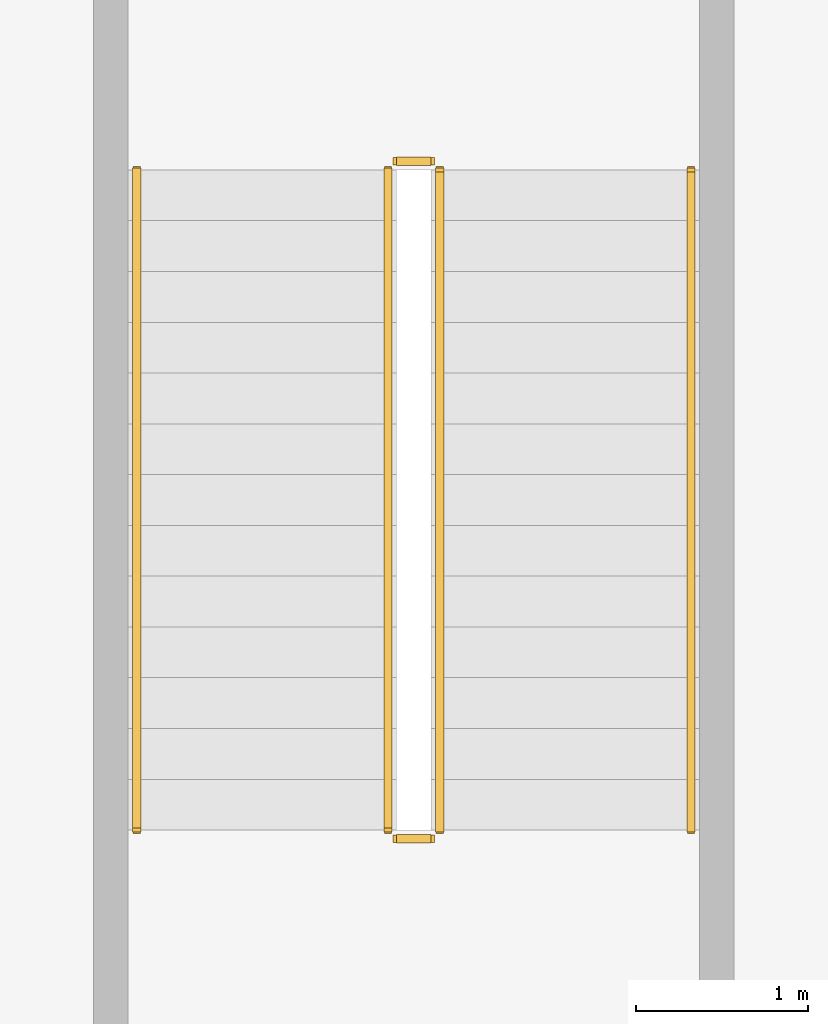
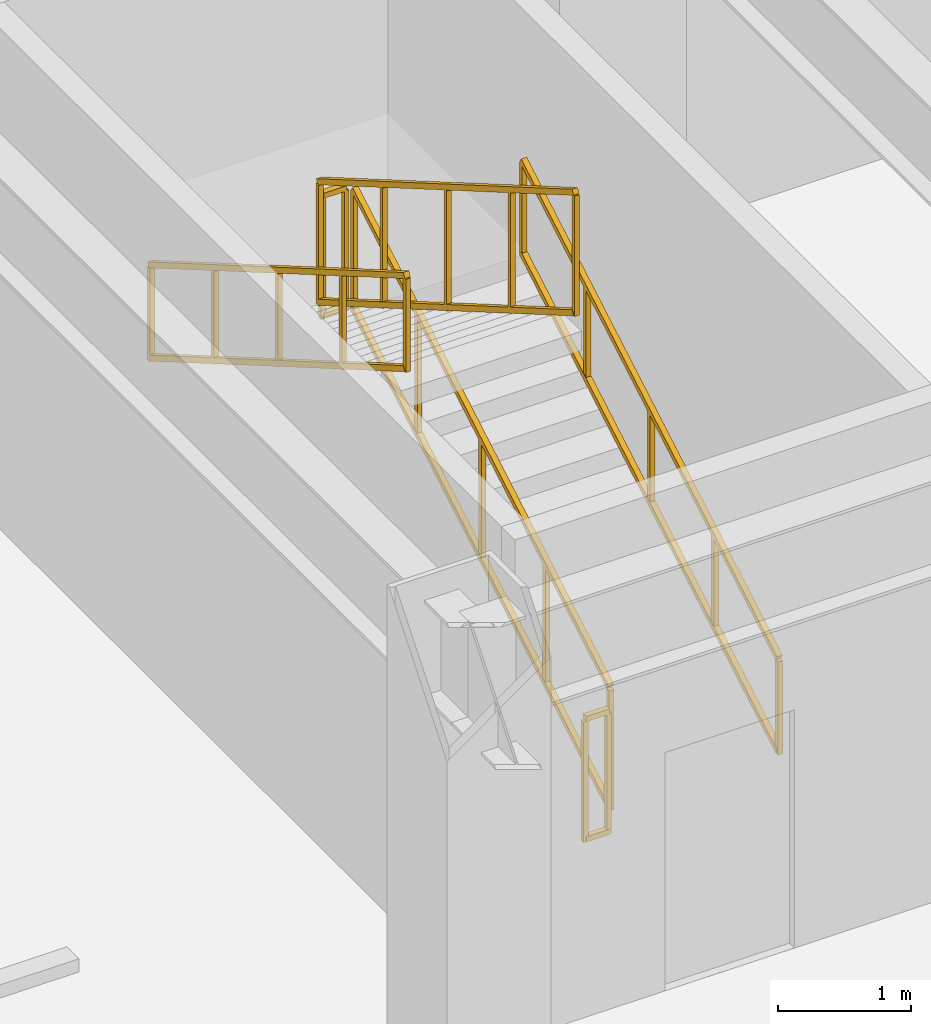
# One storey, part 10 of 10: 6 railings.
"""IFC4 building model written with IfcOpenShell, lengths in metres."""

from ifc_helpers import new_model, si_unit, direction, frame, origin, origin_2d, place, context, subcontext, project, spatial, rectangle, extrude, material, type_object, element, save


model = new_model("IFC4")

# Units and contexts
model_context = context("Model", 3, precision=1e-05, world=origin(), true_north=direction((0.0, 1.0)))
body_context = subcontext(model_context, "Body", "Model", "MODEL_VIEW")
ifc_project = project(units=[si_unit("LENGTHUNIT", "METRE"), si_unit("AREAUNIT", "SQUARE_METRE"), si_unit("VOLUMEUNIT", "CUBIC_METRE"), si_unit("PLANEANGLEUNIT", "RADIAN"), si_unit("MASSUNIT", "GRAM", prefix="KILO")], contexts=[model_context])

# Site, building, storey
site_placement = place(None, origin())
site = spatial("IfcSite", under=ifc_project, at=site_placement, CompositionType="ELEMENT")
building_placement = place(site_placement, origin())
building = spatial("IfcBuilding", under=site, at=building_placement, Name="Brelmoor Portico Tower", CompositionType="ELEMENT")
storey_placement = place(building_placement, frame((0.0, 0.0, -4.800048828125)))
storey = spatial("IfcBuildingStorey", under=building, at=storey_placement, Name="B1", CompositionType="ELEMENT", Elevation=-4.800048828125)

# Railings
ifc_material_1 = material(Name="Painted Tubular Steel Q235B", Category="steel")
railing_type_1 = type_object("IfcRailingType", Name="RL-STAIR-GUARD", PredefinedType="GUARDRAIL", material=ifc_material_1)
railing_1_placement = place(storey_placement, frame((17.389892578125, 20.85009765625, 0.17138671875)))
element("IfcRailing", 1, at=railing_1_placement, inside=storey, type_object=railing_type_1, Name="B1 ST-P2 stair guard 1", PredefinedType="GUARDRAIL", context=body_context, shape_type="SweptSolid", body=[
    extrude(rectangle(XDim=0.048095703125, YDim=0.048095703125, at=origin_2d()), frame((0.0, 0.0, 1.1259765625), z_axis=(0.0, 0.864592272851, 0.502474080651), x_axis=(-1.0, 0.0, 0.0)), (0.0, 0.0, 1.0), 4.435546875),
    extrude(rectangle(XDim=0.048095703125, YDim=0.048095703125, at=origin_2d()), frame((0.0, 0.0, 0.02392578125), z_axis=(0.0, 0.864592272851, 0.502474080651), x_axis=(-1.0, 0.0, 0.0)), (0.0, 0.0, 1.0), 4.435546875),
    extrude(rectangle(XDim=0.0419921875, YDim=0.0419921875, at=origin_2d()), origin(), (0.0, 0.0, 1.0), 1.101806640625),
    extrude(rectangle(XDim=0.0419921875, YDim=0.0419921875, at=origin_2d()), frame((0.0, 0.958740234375, 0.55712890625)), (0.0, 0.0, 1.0), 1.101806640625),
    extrude(rectangle(XDim=0.0419921875, YDim=0.0419921875, at=origin_2d()), frame((0.0, 1.91748046875, 1.1142578125)), (0.0, 0.0, 1.0), 1.101806640625),
    extrude(rectangle(XDim=0.0419921875, YDim=0.0419921875, at=origin_2d()), frame((0.0, 2.876220703125, 1.671630859375)), (0.0, 0.0, 1.0), 1.101806640625),
    extrude(rectangle(XDim=0.0419921875, YDim=0.0419921875, at=origin_2d()), frame((0.0, 3.8349609375, 2.228759765625)), (0.0, 0.0, 1.0), 1.101806640625),
])
railing_2_placement = place(storey_placement, frame((17.340087890625, 24.735107421875, 2.400146484375)))
element("IfcRailing", 2, at=railing_2_placement, inside=storey, type_object=railing_type_1, Name="B1 ST-P2 stair guard 2", PredefinedType="GUARDRAIL", context=body_context, shape_type="SweptSolid", body=[
    extrude(rectangle(XDim=0.048095703125, YDim=0.048095703125, at=origin_2d()), frame((0.0, 0.0, 1.1259765625), z_axis=(-1.0, 0.0, 0.0), x_axis=(0.0, -1.0, 0.0)), (0.0, 0.0, 1.0), 0.2001953125),
    extrude(rectangle(XDim=0.048095703125, YDim=0.048095703125, at=origin_2d()), frame((0.0, 0.0, 0.02392578125), z_axis=(-1.0, 0.0, 0.0), x_axis=(0.0, -1.0, 0.0)), (0.0, 0.0, 1.0), 0.2001953125),
    extrude(rectangle(XDim=0.0419921875, YDim=0.0419921875, at=origin_2d()), origin(), (0.0, 0.0, 1.0), 1.101806640625),
    extrude(rectangle(XDim=0.0419921875, YDim=0.0419921875, at=origin_2d()), frame((-0.2001953125, 0.0, 0.0)), (0.0, 0.0, 1.0), 1.101806640625),
])
railing_3_placement = place(storey_placement, frame((17.090087890625, 24.68505859375, 2.571533203125)))
element("IfcRailing", 3, at=railing_3_placement, inside=storey, type_object=railing_type_1, Name="B1 ST-P2 stair guard 3", PredefinedType="GUARDRAIL", context=body_context, shape_type="SweptSolid", body=[
    extrude(rectangle(XDim=0.048095703125, YDim=0.048095703125, at=origin_2d()), frame((0.0, 0.0, 1.1259765625), z_axis=(0.0, -0.86461618451, 0.502432934314), x_axis=(1.0, 0.0, 0.0)), (0.0, 0.0, 1.0), 4.435546875),
    extrude(rectangle(XDim=0.048095703125, YDim=0.048095703125, at=origin_2d()), frame((0.0, 0.0, 0.02392578125), z_axis=(0.0, -0.86461618451, 0.502432934314), x_axis=(1.0, 0.0, 0.0)), (0.0, 0.0, 1.0), 4.435546875),
    extrude(rectangle(XDim=0.0419921875, YDim=0.0419921875, at=origin_2d()), origin(), (0.0, 0.0, 1.0), 1.101806640625),
    extrude(rectangle(XDim=0.0419921875, YDim=0.0419921875, at=origin_2d()), frame((0.0, -0.958740234375, 0.55712890625)), (0.0, 0.0, 1.0), 1.101806640625),
    extrude(rectangle(XDim=0.0419921875, YDim=0.0419921875, at=origin_2d()), frame((0.0, -1.91748046875, 1.1142578125)), (0.0, 0.0, 1.0), 1.101806640625),
    extrude(rectangle(XDim=0.0419921875, YDim=0.0419921875, at=origin_2d()), frame((0.0, -2.876220703125, 1.67138671875)), (0.0, 0.0, 1.0), 1.101806640625),
    extrude(rectangle(XDim=0.0419921875, YDim=0.0419921875, at=origin_2d()), frame((0.0, -3.8349609375, 2.228515625)), (0.0, 0.0, 1.0), 1.101806640625),
])
railing_4_placement = place(storey_placement, frame((17.340087890625, 20.800048828125, 0.0)))
element("IfcRailing", 4, at=railing_4_placement, inside=storey, type_object=railing_type_1, Name="B1 ST-P2 stair guard 4", PredefinedType="GUARDRAIL", context=body_context, shape_type="SweptSolid", body=[
    extrude(rectangle(XDim=0.048095703125, YDim=0.048095703125, at=origin_2d()), frame((0.0, 0.0, 1.1259765625), z_axis=(-1.0, 0.0, 0.0), x_axis=(0.0, -1.0, 0.0)), (0.0, 0.0, 1.0), 0.2001953125),
    extrude(rectangle(XDim=0.048095703125, YDim=0.048095703125, at=origin_2d()), frame((0.0, 0.0, 0.02392578125), z_axis=(-1.0, 0.0, 0.0), x_axis=(0.0, -1.0, 0.0)), (0.0, 0.0, 1.0), 0.2001953125),
    extrude(rectangle(XDim=0.0419921875, YDim=0.0419921875, at=origin_2d()), origin(), (0.0, 0.0, 1.0), 1.101806640625),
    extrude(rectangle(XDim=0.0419921875, YDim=0.0419921875, at=origin_2d()), frame((-0.2001953125, 0.0, 0.0)), (0.0, 0.0, 1.0), 1.101806640625),
])
ifc_material_2 = material(Name="Brushed Stainless Steel 304", Category="steel")
railing_type_2 = type_object("IfcRailingType", Name="RL-STAIR-HANDRAIL", PredefinedType="HANDRAIL", material=ifc_material_2)
railing_5_placement = place(storey_placement, frame((18.85009765625, 20.85009765625, 0.17138671875)))
element("IfcRailing", 5, at=railing_5_placement, inside=storey, type_object=railing_type_2, Name="B1 ST-P2 stair handrail 1", PredefinedType="HANDRAIL", context=body_context, shape_type="SweptSolid", body=[
    extrude(rectangle(XDim=0.048095703125, YDim=0.048095703125, at=origin_2d()), frame((0.0, 0.0, 0.8759765625), z_axis=(0.0, 0.864592272851, 0.502474080651), x_axis=(-1.0, 0.0, 0.0)), (0.0, 0.0, 1.0), 4.435546875),
    extrude(rectangle(XDim=0.048095703125, YDim=0.048095703125, at=origin_2d()), frame((0.0, 0.0, 0.02392578125), z_axis=(0.0, 0.864592272851, 0.502474080651), x_axis=(-1.0, 0.0, 0.0)), (0.0, 0.0, 1.0), 4.435546875),
    extrude(rectangle(XDim=0.0419921875, YDim=0.0419921875, at=origin_2d()), origin(), (0.0, 0.0, 1.0), 0.851806640625),
    extrude(rectangle(XDim=0.0419921875, YDim=0.0419921875, at=origin_2d()), frame((0.0, 0.958740234375, 0.55712890625)), (0.0, 0.0, 1.0), 0.851806640625),
    extrude(rectangle(XDim=0.0419921875, YDim=0.0419921875, at=origin_2d()), frame((0.0, 1.91748046875, 1.1142578125)), (0.0, 0.0, 1.0), 0.851806640625),
    extrude(rectangle(XDim=0.0419921875, YDim=0.0419921875, at=origin_2d()), frame((0.0, 2.876220703125, 1.671630859375)), (0.0, 0.0, 1.0), 0.851806640625),
    extrude(rectangle(XDim=0.0419921875, YDim=0.0419921875, at=origin_2d()), frame((0.0, 3.8349609375, 2.228759765625)), (0.0, 0.0, 1.0), 0.851806640625),
])
railing_6_placement = place(storey_placement, frame((15.6298828125, 24.68505859375, 2.571533203125)))
element("IfcRailing", 6, at=railing_6_placement, inside=storey, type_object=railing_type_2, Name="B1 ST-P2 stair handrail 2", PredefinedType="HANDRAIL", context=body_context, shape_type="SweptSolid", body=[
    extrude(rectangle(XDim=0.048095703125, YDim=0.048095703125, at=origin_2d()), frame((0.0, 0.0, 0.8759765625), z_axis=(0.0, -0.86461618451, 0.502432934314), x_axis=(1.0, 0.0, 0.0)), (0.0, 0.0, 1.0), 4.435546875),
    extrude(rectangle(XDim=0.048095703125, YDim=0.048095703125, at=origin_2d()), frame((0.0, 0.0, 0.02392578125), z_axis=(0.0, -0.86461618451, 0.502432934314), x_axis=(1.0, 0.0, 0.0)), (0.0, 0.0, 1.0), 4.435546875),
    extrude(rectangle(XDim=0.0419921875, YDim=0.0419921875, at=origin_2d()), origin(), (0.0, 0.0, 1.0), 0.851806640625),
    extrude(rectangle(XDim=0.0419921875, YDim=0.0419921875, at=origin_2d()), frame((0.0, -0.958740234375, 0.55712890625)), (0.0, 0.0, 1.0), 0.851806640625),
    extrude(rectangle(XDim=0.0419921875, YDim=0.0419921875, at=origin_2d()), frame((0.0, -1.91748046875, 1.1142578125)), (0.0, 0.0, 1.0), 0.851806640625),
    extrude(rectangle(XDim=0.0419921875, YDim=0.0419921875, at=origin_2d()), frame((0.0, -2.876220703125, 1.67138671875)), (0.0, 0.0, 1.0), 0.851806640625),
    extrude(rectangle(XDim=0.0419921875, YDim=0.0419921875, at=origin_2d()), frame((0.0, -3.8349609375, 2.228515625)), (0.0, 0.0, 1.0), 0.851806640625),
])

save(model, "model.ifc")
